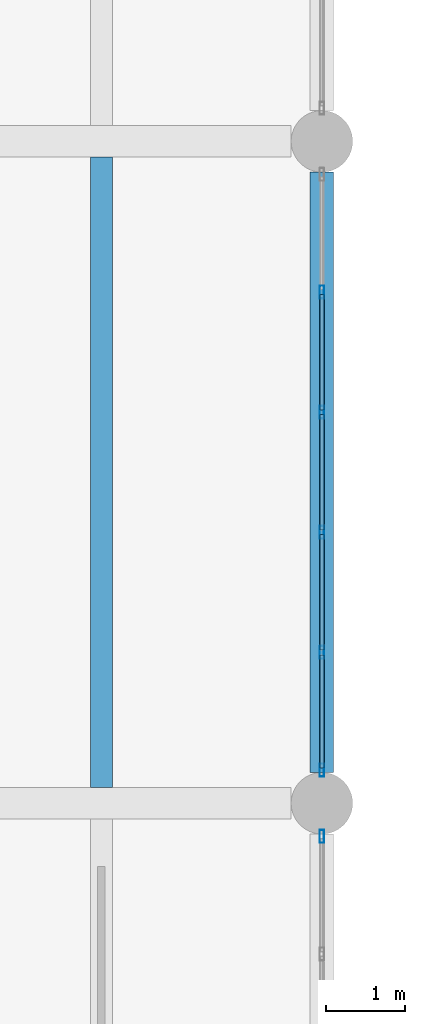
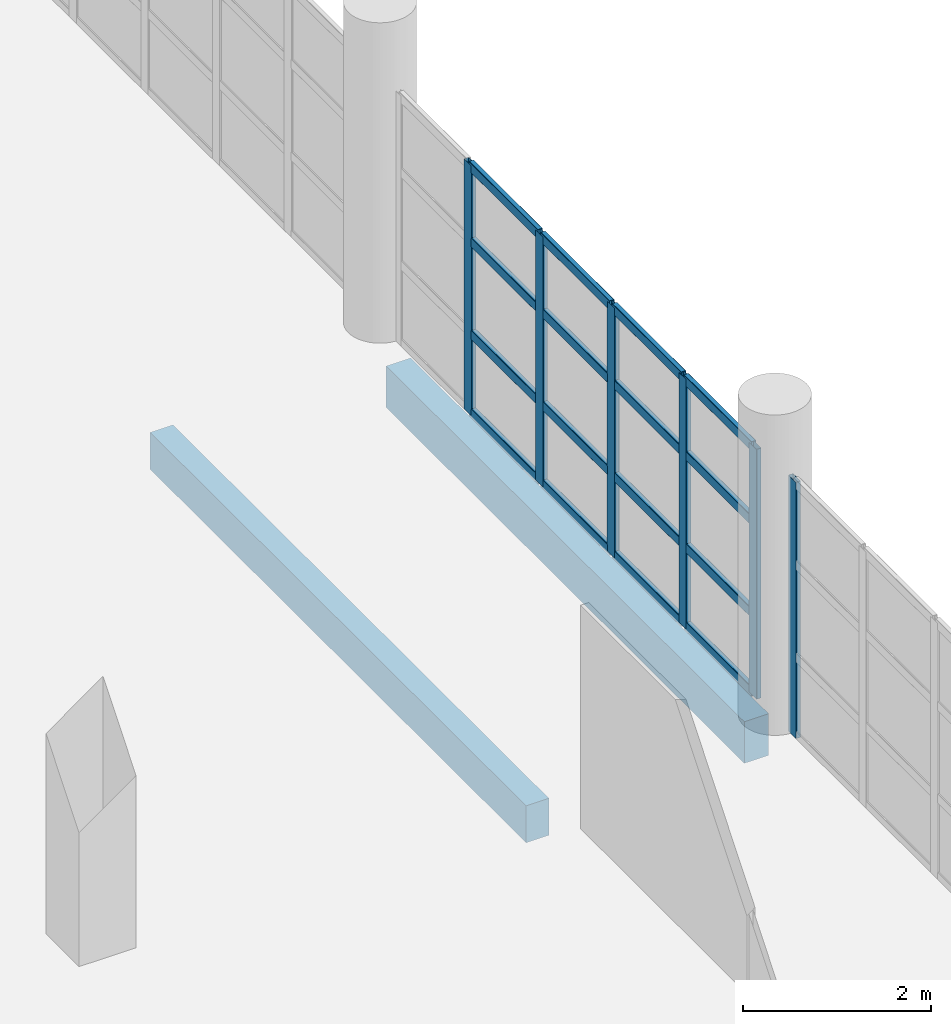
# One storey, part 91 of 177: 22 members, 2 beams, 2 elements without a shape of their own.
"""IFC4 building model written with IfcOpenShell, lengths in metres."""

import ifcopenshell
import ifcopenshell.guid

model = None  # the IFC model being written
_history = None  # IfcOwnerHistory: only IFC2X3 demands one
_inside = {}  # id of a spatial element -> (the spatial element, [elements in it])
_under = {}  # id of a project, library or spatial element -> (it, [spatial elements below it])
_declared = {}  # id of a project -> (the project, [libraries it declares])
_typed = {}  # id of a type object -> (the type object, [elements of that type])
_made_of = {}  # id of a material, layer set ... -> (it, [elements and type objects made of it])


def new_model(schema):
    """Start an empty IFC model of exactly this schema.

    Asked for "IFC4X3", IfcOpenShell would pick the latest addendum, in which some entities
    have other attributes; the version numbers below select the first issue.
    IFC2X3 requires an IfcOwnerHistory on every rooted entity: one is made here for all.
    """
    global model, _history
    if schema == "IFC4X3":
        model = ifcopenshell.file(schema_version=(4, 3, 0, 0))
    else:
        model = ifcopenshell.file(schema=schema)
    _inside.clear()
    _under.clear()
    _declared.clear()
    _typed.clear()
    _made_of.clear()
    _history = None
    if model.schema == "IFC2X3":
        org = make("IfcOrganization", Name="unknown")
        user = make(
            "IfcPersonAndOrganization",
            ThePerson=make("IfcPerson", FamilyName="unknown"),
            TheOrganization=org,
        )
        app = make(
            "IfcApplication",
            ApplicationDeveloper=org,
            Version="unknown",
            ApplicationFullName="unknown",
            ApplicationIdentifier="unknown",
        )
        _history = make(
            "IfcOwnerHistory",
            OwningUser=user,
            OwningApplication=app,
            ChangeAction="ADDED",
            CreationDate=0,
        )
    return model


def make(cls, **values):
    """One entity of the class cls with the attributes given. An attribute that is None is left unset."""
    return model.create_entity(
        cls, **{name: value for name, value in values.items() if value is not None}
    )


def rooted(cls, **values):
    """An entity with a GlobalId (a new one), such as an element, a storey or a relation."""
    return make(cls, GlobalId=ifcopenshell.guid.new(), OwnerHistory=_history, **values)


def si_unit(unit_type, name, prefix=None):
    """IfcSIUnit, for example si_unit("LENGTHUNIT", "METRE", prefix="MILLI")."""
    return make("IfcSIUnit", UnitType=unit_type, Prefix=prefix, Name=name)


def assignment(units):
    """IfcUnitAssignment: the units of a project."""
    return None if units is None else make("IfcUnitAssignment", Units=units)


def point(xyz):
    """IfcCartesianPoint."""
    return None if xyz is None else make("IfcCartesianPoint", Coordinates=xyz)


def direction(xyz):
    """IfcDirection."""
    return None if xyz is None else make("IfcDirection", DirectionRatios=xyz)


def frame(location, z_axis=None, x_axis=None):
    """IfcAxis2Placement3D, a coordinate frame: its origin and axes. An axis left out is left unset."""
    return make(
        "IfcAxis2Placement3D",
        Location=point(location),
        Axis=direction(z_axis),
        RefDirection=direction(x_axis),
    )


def frame_2d(location, x_axis=None):
    """IfcAxis2Placement2D, a coordinate frame in the plane: its origin and x axis."""
    return make(
        "IfcAxis2Placement2D", Location=point(location), RefDirection=direction(x_axis)
    )


def origin():
    """The frame at (0, 0, 0) with its axes left unset."""
    return frame((0.0, 0.0, 0.0))


def origin_2d():
    """The frame at (0, 0) in the plane with its x axis left unset."""
    return frame_2d((0.0, 0.0))


def place(relative_to, where):
    """IfcLocalPlacement: puts the frame where relative to a parent placement (None: the world)."""
    return make(
        "IfcLocalPlacement", PlacementRelTo=relative_to, RelativePlacement=where
    )


def context(
    kind, dimensions, precision=None, world=None, true_north=None, identifier=None
):
    """IfcGeometricRepresentationContext, for example the 3D "Model" context."""
    return make(
        "IfcGeometricRepresentationContext",
        ContextIdentifier=identifier,
        ContextType=kind,
        CoordinateSpaceDimension=dimensions,
        Precision=precision,
        WorldCoordinateSystem=world,
        TrueNorth=true_north,
    )


def subcontext(parent, identifier, kind, view, scale=None):
    """IfcGeometricRepresentationSubContext, for example "Body" below "Model"."""
    return make(
        "IfcGeometricRepresentationSubContext",
        ContextIdentifier=identifier,
        ContextType=kind,
        ParentContext=parent,
        TargetScale=scale,
        TargetView=view,
    )


def project(units=None, contexts=None):
    """IfcProject with its units and contexts."""
    return rooted(
        "IfcProject",
        Name="project",
        RepresentationContexts=contexts,
        UnitsInContext=assignment(units),
    )


def spatial(cls, under=None, at=None, **own):
    """A site, building, storey or space (cls), placed at a placement, below another one or the project."""
    s = rooted(cls, ObjectPlacement=at, **own)
    if under is not None:
        _under.setdefault(under.id(), (under, []))[1].append(s)
    return s


def profile(cls, at=None, kind="AREA", **sizes):
    """A parametric profile (cls). Its sizes go by their IFC names, for example OverallWidth=200.0."""
    return make(cls, ProfileType=kind, Position=at, **sizes)


def rectangle(**sizes):
    """IfcRectangleProfileDef."""
    return profile("IfcRectangleProfileDef", **sizes)


def hollow_rectangle(**sizes):
    """IfcRectangleHollowProfileDef."""
    return profile("IfcRectangleHollowProfileDef", **sizes)


def extrude(swept, where, along, depth):
    """IfcExtrudedAreaSolid: the profile swept, set in the frame where, extruded along a direction by depth."""
    return make(
        "IfcExtrudedAreaSolid",
        SweptArea=swept,
        Position=where,
        ExtrudedDirection=direction(along),
        Depth=depth,
    )


def shape(context_of_items, identifier, shape_type, items):
    """IfcShapeRepresentation: the items that make up one representation, for example the "Body"."""
    return make(
        "IfcShapeRepresentation",
        ContextOfItems=context_of_items,
        RepresentationIdentifier=identifier,
        RepresentationType=shape_type,
        Items=items,
    )


def material(Name=None, Category=None):
    """IfcMaterial."""
    return make("IfcMaterial", Name=Name, Category=Category)


def layer(
    of_material, thickness, ventilated=None, Name=None, Category=None, Priority=None
):
    """IfcMaterialLayer: one layer of a wall or slab, of a material (None: an air gap)."""
    return make(
        "IfcMaterialLayer",
        Material=of_material,
        LayerThickness=thickness,
        IsVentilated=ventilated,
        Name=Name,
        Category=Category,
        Priority=Priority,
    )


def layer_set(layers, Name=None):
    """IfcMaterialLayerSet."""
    return make("IfcMaterialLayerSet", MaterialLayers=layers, LayerSetName=Name)


def material_profile(
    of_material, cross_section, Name=None, Category=None, Priority=None
):
    """IfcMaterialProfile: a cross section and its material."""
    return make(
        "IfcMaterialProfile",
        Name=Name,
        Material=of_material,
        Profile=cross_section,
        Priority=Priority,
        Category=Category,
    )


def profile_set(profiles, Name=None, composite=None):
    """IfcMaterialProfileSet."""
    return make(
        "IfcMaterialProfileSet",
        Name=Name,
        MaterialProfiles=profiles,
        CompositeProfile=composite,
    )


def made_of(thing, what):
    """Note that an element or type object is made of a material, layer set ...; save() writes the relation."""
    if what is not None:
        _made_of.setdefault(what.id(), (what, []))[1].append(thing)
    return thing


def type_object(cls, material=None, **own):
    """A type object (cls), such as IfcWallType, which elements share."""
    return made_of(rooted(cls, **own), material)


def element(
    cls,
    number,
    at=None,
    inside=None,
    cuts=None,
    type_object=None,
    material=None,
    context=None,
    identifier="Body",
    shape_type=None,
    held_by="IfcProductDefinitionShape",
    body=None,
    shapes=None,
    **own,
):
    """One element of the class cls, such as IfcWall. Its Tag is "e" and its number.

    at: its placement. inside: the storey or other place that contains it. cuts: it is an
    opening in that element (IfcRelVoidsElement). A single representation is given by context,
    identifier, shape_type and body (its items); several are given by shapes. held_by: the class
    of the entity that holds the representations. save() writes the other relations.
    """
    e = rooted(cls, Tag="e%d" % number, ObjectPlacement=at, **own)
    if body is not None:
        shapes = [shape(context, identifier, shape_type, body)]
    if shapes is not None:
        e.Representation = make(held_by, Representations=shapes)
    if inside is not None:
        _inside.setdefault(inside.id(), (inside, []))[1].append(e)
    if cuts is not None:
        rooted(
            "IfcRelVoidsElement", RelatingBuildingElement=cuts, RelatedOpeningElement=e
        )
    if type_object is not None:
        _typed.setdefault(type_object.id(), (type_object, []))[1].append(e)
    return made_of(e, material)


def aggregate(whole, parts):
    """IfcRelAggregates: a whole, such as a stair, and the parts it consists of."""
    return rooted("IfcRelAggregates", RelatingObject=whole, RelatedObjects=parts)


def save(model, path):
    """Write the relations noted so far, then the file.

    IfcRelAggregates (storeys below a building ...), IfcRelContainedInSpatialStructure (elements
    in a storey), IfcRelDefinesByType, IfcRelAssociatesMaterial and IfcRelDeclares: one each for
    every whole, place, type object, material and project.
    """
    for whole, parts in _under.values():
        aggregate(whole, parts)
    for where, things in _inside.values():
        rooted(
            "IfcRelContainedInSpatialStructure",
            RelatedElements=things,
            RelatingStructure=where,
        )
    for kind, things in _typed.values():
        rooted("IfcRelDefinesByType", RelatedObjects=things, RelatingType=kind)
    for what, things in _made_of.values():
        rooted("IfcRelAssociatesMaterial", RelatedObjects=things, RelatingMaterial=what)
    for by, libraries in _declared.values():
        rooted("IfcRelDeclares", RelatingContext=by, RelatedDefinitions=libraries)
    model.write(path)


model = new_model("IFC4")

# Units and contexts
model_context = context("Model", 3, precision=1e-05, world=origin(), true_north=direction((0.0, 1.0)))
body_context = subcontext(model_context, "Body", "Model", "MODEL_VIEW")
ifc_project = project(units=[si_unit("LENGTHUNIT", "METRE"), si_unit("AREAUNIT", "SQUARE_METRE"), si_unit("VOLUMEUNIT", "CUBIC_METRE"), si_unit("PLANEANGLEUNIT", "RADIAN"), si_unit("MASSUNIT", "GRAM", prefix="KILO"), si_unit("THERMODYNAMICTEMPERATUREUNIT", "KELVIN"), si_unit("POWERUNIT", "WATT")], contexts=[model_context])

# Site, building, storey
site_placement = place(None, origin())
site = spatial("IfcSite", under=ifc_project, at=site_placement, CompositionType="ELEMENT")
building_placement = place(site_placement, origin())
building = spatial("IfcBuilding", under=site, at=building_placement, Name="Mavoryth Pier Ferry Terminal", CompositionType="ELEMENT")
storey_placement = place(building_placement, frame((0.0, 0.0, 5.43994140625)))
storey = spatial("IfcBuildingStorey", under=building, at=storey_placement, Name="L01", CompositionType="ELEMENT", Elevation=5.43994140625)

# Beam
ifc_material_1 = material(Name="Concrete C35/45", Category="concrete")
ifc_material_profile_1 = material_profile(ifc_material_1, rectangle(XDim=0.280029296875, YDim=0.47998046875, at=origin_2d()), Name="RC 280x480", Category="concrete")
ifc_profile_set_1 = profile_set([ifc_material_profile_1], Name="Concrete C35/45 - RC 280x480")
beam_type_1 = type_object("IfcBeamType", Name="Joist-RC-280x480", PredefinedType="JOIST", material=ifc_profile_set_1)
beam_1_placement = place(storey_placement, frame((89.60009765625, 89.39990234375, -0.52001953125), z_axis=(0.0, 1.0, 0.0), x_axis=(-1.0, 0.0, 0.0)))
element("IfcBeam", 1, at=beam_1_placement, inside=storey, type_object=beam_type_1, Name="Beam B01-BJ02-0256", PredefinedType="JOIST", context=body_context, shape_type="SweptSolid", body=[
    extrude(rectangle(XDim=0.280029296875, YDim=0.47998046875, at=origin_2d()), origin(), (0.0, 0.0, 1.0), 8.0),
])

# Curtain wall, member
ifc_material_2 = material(Name="Anodised Aluminium and Solar-Control Low-E Glass", Category="aluminium")
ifc_layer = layer(ifc_material_2, 0.159912109375, Name="Anodised Aluminium and Solar-Control Low-E Glass", Category="aluminium")
ifc_layer_set = layer_set([ifc_layer], Name="Anodised Aluminium and Solar-Control Low-E Glass - CW-Arrivals-Mod1400")
curtain_wall_type = type_object("IfcCurtainWallType", Name="CW-Arrivals-Mod1400", PredefinedType="USERDEFINED", material=ifc_layer_set)
curtain_wall_1_placement = place(storey_placement, origin())
curtain_wall_1 = element("IfcCurtainWall", 2, at=curtain_wall_1_placement, inside=storey, type_object=curtain_wall_type, Name="Curtain Wall CW-0122-067", ObjectType="UNITISED CURTAIN WALL", PredefinedType="USERDEFINED")
ifc_material_3 = material(Name="Anodised Aluminium EN AW-6063", Category="aluminium")
ifc_material_profile_2 = material_profile(ifc_material_3, hollow_rectangle(XDim=0.06005859375, YDim=0.1650390625, WallThickness=0.00390625, InnerFilletRadius=0.00390625, OuterFilletRadius=0.008056640625, at=origin_2d()), Name="AL-MULL 165x60x4", Category="aluminium")
ifc_profile_set_2 = profile_set([ifc_material_profile_2], Name="Anodised Aluminium EN AW-6063 - AL-MULL 165x60x4")
member_type_1 = type_object("IfcMemberType", Name="Mullion-Alum-165x60", PredefinedType="MULLION", material=ifc_profile_set_2)
member_1_placement = place(storey_placement, frame((92.39990234375, 88.780029296875, 0.0), z_axis=(0.0, 0.0, 1.0), x_axis=(-1.0, 0.0, 0.0)))
member_1 = element("IfcMember", 3, at=member_1_placement, type_object=member_type_1, Name="CW04 mullion 6", PredefinedType="MULLION", context=body_context, shape_type="SweptSolid", body=[
    extrude(hollow_rectangle(XDim=0.06005859375, YDim=0.1650390625, WallThickness=0.00390625, InnerFilletRadius=0.00390625, OuterFilletRadius=0.008056640625, at=origin_2d()), origin(), (0.0, 0.0, 1.0), 3.324951171875),
])
aggregate(curtain_wall_1, [member_1])

# Curtain wall, members
curtain_wall_2_placement = place(storey_placement, origin())
curtain_wall_2 = element("IfcCurtainWall", 4, at=curtain_wall_2_placement, inside=storey, type_object=curtain_wall_type, Name="Curtain Wall CW-0122-068", ObjectType="UNITISED CURTAIN WALL", PredefinedType="USERDEFINED")
member_2_placement = place(storey_placement, frame((92.39990234375, 89.6201171875, 0.0), z_axis=(0.0, 0.0, 1.0), x_axis=(-1.0, 0.0, 0.0)))
member_2 = element("IfcMember", 5, at=member_2_placement, type_object=member_type_1, Name="CW04 mullion 1", PredefinedType="MULLION", context=body_context, shape_type="SweptSolid", body=[
    extrude(hollow_rectangle(XDim=0.06005859375, YDim=0.1650390625, WallThickness=0.00390625, InnerFilletRadius=0.00390625, OuterFilletRadius=0.008056640625, at=origin_2d()), origin(), (0.0, 0.0, 1.0), 3.2451171875),
])
member_3_placement = place(storey_placement, frame((92.39990234375, 91.114013671875, 0.0), z_axis=(0.0, 0.0, 1.0), x_axis=(-1.0, 0.0, 0.0)))
member_3 = element("IfcMember", 6, at=member_3_placement, type_object=member_type_1, Name="CW04 mullion 2", PredefinedType="MULLION", context=body_context, shape_type="SweptSolid", body=[
    extrude(hollow_rectangle(XDim=0.06005859375, YDim=0.1650390625, WallThickness=0.00390625, InnerFilletRadius=0.00390625, OuterFilletRadius=0.008056640625, at=origin_2d()), origin(), (0.0, 0.0, 1.0), 3.2451171875),
])
member_4_placement = place(storey_placement, frame((92.39990234375, 92.637939453125, 0.0), z_axis=(0.0, 0.0, 1.0), x_axis=(-1.0, 0.0, 0.0)))
member_4 = element("IfcMember", 7, at=member_4_placement, type_object=member_type_1, Name="CW04 mullion 3", PredefinedType="MULLION", context=body_context, shape_type="SweptSolid", body=[
    extrude(hollow_rectangle(XDim=0.06005859375, YDim=0.1650390625, WallThickness=0.00390625, InnerFilletRadius=0.00390625, OuterFilletRadius=0.008056640625, at=origin_2d()), origin(), (0.0, 0.0, 1.0), 3.2451171875),
])
member_5_placement = place(storey_placement, frame((92.39990234375, 94.162109375, 0.0), z_axis=(0.0, 0.0, 1.0), x_axis=(-1.0, 0.0, 0.0)))
member_5 = element("IfcMember", 8, at=member_5_placement, type_object=member_type_1, Name="CW04 mullion 4", PredefinedType="MULLION", context=body_context, shape_type="SweptSolid", body=[
    extrude(hollow_rectangle(XDim=0.06005859375, YDim=0.1650390625, WallThickness=0.00390625, InnerFilletRadius=0.00390625, OuterFilletRadius=0.008056640625, at=origin_2d()), origin(), (0.0, 0.0, 1.0), 3.2451171875),
])
member_6_placement = place(storey_placement, frame((92.39990234375, 95.68603515625, 0.0), z_axis=(0.0, 0.0, 1.0), x_axis=(-1.0, 0.0, 0.0)))
member_6 = element("IfcMember", 9, at=member_6_placement, type_object=member_type_1, Name="CW04 mullion 5", PredefinedType="MULLION", context=body_context, shape_type="SweptSolid", body=[
    extrude(hollow_rectangle(XDim=0.06005859375, YDim=0.1650390625, WallThickness=0.00390625, InnerFilletRadius=0.00390625, OuterFilletRadius=0.008056640625, at=origin_2d()), origin(), (0.0, 0.0, 1.0), 3.2451171875),
])

# Beam
ifc_material_profile_3 = material_profile(ifc_material_1, rectangle(XDim=0.300048828125, YDim=0.5400390625, at=origin_2d()), Name="RC 300x540", Category="concrete")
ifc_profile_set_3 = profile_set([ifc_material_profile_3], Name="Concrete C35/45 - RC 300x540")
beam_type_2 = type_object("IfcBeamType", Name="Spandrel-RC-300x540", PredefinedType="SPANDREL", material=ifc_profile_set_3)
beam_2_placement = place(storey_placement, frame((92.39990234375, 89.590087890625, -0.550048828125), z_axis=(0.0, 1.0, 0.0), x_axis=(-1.0, 0.0, 0.0)))
element("IfcBeam", 10, at=beam_2_placement, inside=storey, type_object=beam_type_2, Name="Beam B01-SP02-0225", PredefinedType="SPANDREL", context=body_context, shape_type="SweptSolid", body=[
    extrude(rectangle(XDim=0.300048828125, YDim=0.5400390625, at=origin_2d()), origin(), (0.0, 0.0, 1.0), 7.619873046875),
])

# Member
ifc_material_profile_4 = material_profile(ifc_material_3, hollow_rectangle(XDim=0.06005859375, YDim=0.125, WallThickness=0.00390625, InnerFilletRadius=0.00390625, OuterFilletRadius=0.008056640625, at=origin_2d()), Name="AL-TRAN 125x60x4", Category="aluminium")
ifc_profile_set_4 = profile_set([ifc_material_profile_4], Name="Anodised Aluminium EN AW-6063 - AL-TRAN 125x60x4")
member_type_2 = type_object("IfcMemberType", Name="Transom-Alum-125x60", PredefinedType="USERDEFINED", material=ifc_profile_set_4)
member_7_placement = place(storey_placement, frame((92.39990234375, 89.64990234375, 0.030029296875), z_axis=(0.0, 1.0, 0.0), x_axis=(-1.0, 0.0, 0.0)))
member_7 = element("IfcMember", 11, at=member_7_placement, type_object=member_type_2, Name="CW04 transom 1.1", ObjectType="TRANSOM", PredefinedType="USERDEFINED", context=body_context, shape_type="SweptSolid", body=[
    extrude(hollow_rectangle(XDim=0.06005859375, YDim=0.125, WallThickness=0.00390625, InnerFilletRadius=0.00390625, OuterFilletRadius=0.008056640625, at=origin_2d()), origin(), (0.0, 0.0, 1.0), 1.43408203125),
])

member_8_placement = place(storey_placement, frame((92.39990234375, 89.64990234375, 1.050048828125), z_axis=(0.0, 1.0, 0.0), x_axis=(-1.0, 0.0, 0.0)))
member_8 = element("IfcMember", 12, at=member_8_placement, type_object=member_type_2, Name="CW04 transom 1.2", ObjectType="TRANSOM", PredefinedType="USERDEFINED", context=body_context, shape_type="SweptSolid", body=[
    extrude(hollow_rectangle(XDim=0.06005859375, YDim=0.125, WallThickness=0.00390625, InnerFilletRadius=0.00390625, OuterFilletRadius=0.008056640625, at=origin_2d()), origin(), (0.0, 0.0, 1.0), 1.43408203125),
])

member_9_placement = place(storey_placement, frame((92.39990234375, 89.64990234375, 2.25), z_axis=(0.0, 1.0, 0.0), x_axis=(-1.0, 0.0, 0.0)))
member_9 = element("IfcMember", 13, at=member_9_placement, type_object=member_type_2, Name="CW04 transom 1.3", ObjectType="TRANSOM", PredefinedType="USERDEFINED", context=body_context, shape_type="SweptSolid", body=[
    extrude(hollow_rectangle(XDim=0.06005859375, YDim=0.125, WallThickness=0.00390625, InnerFilletRadius=0.00390625, OuterFilletRadius=0.008056640625, at=origin_2d()), origin(), (0.0, 0.0, 1.0), 1.43408203125),
])

member_10_placement = place(storey_placement, frame((92.39990234375, 89.64990234375, 3.215087890625), z_axis=(0.0, 1.0, 0.0), x_axis=(-1.0, 0.0, 0.0)))
member_10 = element("IfcMember", 14, at=member_10_placement, type_object=member_type_2, Name="CW04 transom 1.4", ObjectType="TRANSOM", PredefinedType="USERDEFINED", context=body_context, shape_type="SweptSolid", body=[
    extrude(hollow_rectangle(XDim=0.06005859375, YDim=0.125, WallThickness=0.00390625, InnerFilletRadius=0.00390625, OuterFilletRadius=0.008056640625, at=origin_2d()), origin(), (0.0, 0.0, 1.0), 1.43408203125),
])

member_11_placement = place(storey_placement, frame((92.39990234375, 91.14404296875, 0.030029296875), z_axis=(0.0, 1.0, 0.0), x_axis=(-1.0, 0.0, 0.0)))
member_11 = element("IfcMember", 15, at=member_11_placement, type_object=member_type_2, Name="CW04 transom 2.1", ObjectType="TRANSOM", PredefinedType="USERDEFINED", context=body_context, shape_type="SweptSolid", body=[
    extrude(hollow_rectangle(XDim=0.06005859375, YDim=0.125, WallThickness=0.00390625, InnerFilletRadius=0.00390625, OuterFilletRadius=0.008056640625, at=origin_2d()), origin(), (0.0, 0.0, 1.0), 1.4638671875),
])

member_12_placement = place(storey_placement, frame((92.39990234375, 91.14404296875, 1.050048828125), z_axis=(0.0, 1.0, 0.0), x_axis=(-1.0, 0.0, 0.0)))
member_12 = element("IfcMember", 16, at=member_12_placement, type_object=member_type_2, Name="CW04 transom 2.2", ObjectType="TRANSOM", PredefinedType="USERDEFINED", context=body_context, shape_type="SweptSolid", body=[
    extrude(hollow_rectangle(XDim=0.06005859375, YDim=0.125, WallThickness=0.00390625, InnerFilletRadius=0.00390625, OuterFilletRadius=0.008056640625, at=origin_2d()), origin(), (0.0, 0.0, 1.0), 1.4638671875),
])

member_13_placement = place(storey_placement, frame((92.39990234375, 91.14404296875, 2.25), z_axis=(0.0, 1.0, 0.0), x_axis=(-1.0, 0.0, 0.0)))
member_13 = element("IfcMember", 17, at=member_13_placement, type_object=member_type_2, Name="CW04 transom 2.3", ObjectType="TRANSOM", PredefinedType="USERDEFINED", context=body_context, shape_type="SweptSolid", body=[
    extrude(hollow_rectangle(XDim=0.06005859375, YDim=0.125, WallThickness=0.00390625, InnerFilletRadius=0.00390625, OuterFilletRadius=0.008056640625, at=origin_2d()), origin(), (0.0, 0.0, 1.0), 1.4638671875),
])

member_14_placement = place(storey_placement, frame((92.39990234375, 91.14404296875, 3.215087890625), z_axis=(0.0, 1.0, 0.0), x_axis=(-1.0, 0.0, 0.0)))
member_14 = element("IfcMember", 18, at=member_14_placement, type_object=member_type_2, Name="CW04 transom 2.4", ObjectType="TRANSOM", PredefinedType="USERDEFINED", context=body_context, shape_type="SweptSolid", body=[
    extrude(hollow_rectangle(XDim=0.06005859375, YDim=0.125, WallThickness=0.00390625, InnerFilletRadius=0.00390625, OuterFilletRadius=0.008056640625, at=origin_2d()), origin(), (0.0, 0.0, 1.0), 1.4638671875),
])

member_15_placement = place(storey_placement, frame((92.39990234375, 92.66796875, 0.030029296875), z_axis=(0.0, 1.0, 0.0), x_axis=(-1.0, 0.0, 0.0)))
member_15 = element("IfcMember", 19, at=member_15_placement, type_object=member_type_2, Name="CW04 transom 3.1", ObjectType="TRANSOM", PredefinedType="USERDEFINED", context=body_context, shape_type="SweptSolid", body=[
    extrude(hollow_rectangle(XDim=0.06005859375, YDim=0.125, WallThickness=0.00390625, InnerFilletRadius=0.00390625, OuterFilletRadius=0.008056640625, at=origin_2d()), origin(), (0.0, 0.0, 1.0), 1.464111328125),
])

member_16_placement = place(storey_placement, frame((92.39990234375, 92.66796875, 1.050048828125), z_axis=(0.0, 1.0, 0.0), x_axis=(-1.0, 0.0, 0.0)))
member_16 = element("IfcMember", 20, at=member_16_placement, type_object=member_type_2, Name="CW04 transom 3.2", ObjectType="TRANSOM", PredefinedType="USERDEFINED", context=body_context, shape_type="SweptSolid", body=[
    extrude(hollow_rectangle(XDim=0.06005859375, YDim=0.125, WallThickness=0.00390625, InnerFilletRadius=0.00390625, OuterFilletRadius=0.008056640625, at=origin_2d()), origin(), (0.0, 0.0, 1.0), 1.464111328125),
])

member_17_placement = place(storey_placement, frame((92.39990234375, 92.66796875, 2.25), z_axis=(0.0, 1.0, 0.0), x_axis=(-1.0, 0.0, 0.0)))
member_17 = element("IfcMember", 21, at=member_17_placement, type_object=member_type_2, Name="CW04 transom 3.3", ObjectType="TRANSOM", PredefinedType="USERDEFINED", context=body_context, shape_type="SweptSolid", body=[
    extrude(hollow_rectangle(XDim=0.06005859375, YDim=0.125, WallThickness=0.00390625, InnerFilletRadius=0.00390625, OuterFilletRadius=0.008056640625, at=origin_2d()), origin(), (0.0, 0.0, 1.0), 1.464111328125),
])

member_18_placement = place(storey_placement, frame((92.39990234375, 92.66796875, 3.215087890625), z_axis=(0.0, 1.0, 0.0), x_axis=(-1.0, 0.0, 0.0)))
member_18 = element("IfcMember", 22, at=member_18_placement, type_object=member_type_2, Name="CW04 transom 3.4", ObjectType="TRANSOM", PredefinedType="USERDEFINED", context=body_context, shape_type="SweptSolid", body=[
    extrude(hollow_rectangle(XDim=0.06005859375, YDim=0.125, WallThickness=0.00390625, InnerFilletRadius=0.00390625, OuterFilletRadius=0.008056640625, at=origin_2d()), origin(), (0.0, 0.0, 1.0), 1.464111328125),
])

member_19_placement = place(storey_placement, frame((92.39990234375, 94.19189453125, 0.030029296875), z_axis=(0.0, 1.0, 0.0), x_axis=(-1.0, 0.0, 0.0)))
member_19 = element("IfcMember", 23, at=member_19_placement, type_object=member_type_2, Name="CW04 transom 4.1", ObjectType="TRANSOM", PredefinedType="USERDEFINED", context=body_context, shape_type="SweptSolid", body=[
    extrude(hollow_rectangle(XDim=0.06005859375, YDim=0.125, WallThickness=0.00390625, InnerFilletRadius=0.00390625, OuterFilletRadius=0.008056640625, at=origin_2d()), origin(), (0.0, 0.0, 1.0), 1.464111328125),
])

member_20_placement = place(storey_placement, frame((92.39990234375, 94.19189453125, 1.050048828125), z_axis=(0.0, 1.0, 0.0), x_axis=(-1.0, 0.0, 0.0)))
member_20 = element("IfcMember", 24, at=member_20_placement, type_object=member_type_2, Name="CW04 transom 4.2", ObjectType="TRANSOM", PredefinedType="USERDEFINED", context=body_context, shape_type="SweptSolid", body=[
    extrude(hollow_rectangle(XDim=0.06005859375, YDim=0.125, WallThickness=0.00390625, InnerFilletRadius=0.00390625, OuterFilletRadius=0.008056640625, at=origin_2d()), origin(), (0.0, 0.0, 1.0), 1.464111328125),
])

member_21_placement = place(storey_placement, frame((92.39990234375, 94.19189453125, 2.25), z_axis=(0.0, 1.0, 0.0), x_axis=(-1.0, 0.0, 0.0)))
member_21 = element("IfcMember", 25, at=member_21_placement, type_object=member_type_2, Name="CW04 transom 4.3", ObjectType="TRANSOM", PredefinedType="USERDEFINED", context=body_context, shape_type="SweptSolid", body=[
    extrude(hollow_rectangle(XDim=0.06005859375, YDim=0.125, WallThickness=0.00390625, InnerFilletRadius=0.00390625, OuterFilletRadius=0.008056640625, at=origin_2d()), origin(), (0.0, 0.0, 1.0), 1.464111328125),
])

member_22_placement = place(storey_placement, frame((92.39990234375, 94.19189453125, 3.215087890625), z_axis=(0.0, 1.0, 0.0), x_axis=(-1.0, 0.0, 0.0)))
member_22 = element("IfcMember", 26, at=member_22_placement, type_object=member_type_2, Name="CW04 transom 4.4", ObjectType="TRANSOM", PredefinedType="USERDEFINED", context=body_context, shape_type="SweptSolid", body=[
    extrude(hollow_rectangle(XDim=0.06005859375, YDim=0.125, WallThickness=0.00390625, InnerFilletRadius=0.00390625, OuterFilletRadius=0.008056640625, at=origin_2d()), origin(), (0.0, 0.0, 1.0), 1.464111328125),
])

aggregate(curtain_wall_2, [member_2, member_3, member_4, member_5, member_6, member_7, member_8, member_9, member_10, member_11, member_12, member_13, member_14, member_15, member_16, member_17, member_18, member_19, member_20, member_21, member_22])

save(model, "model.ifc")
